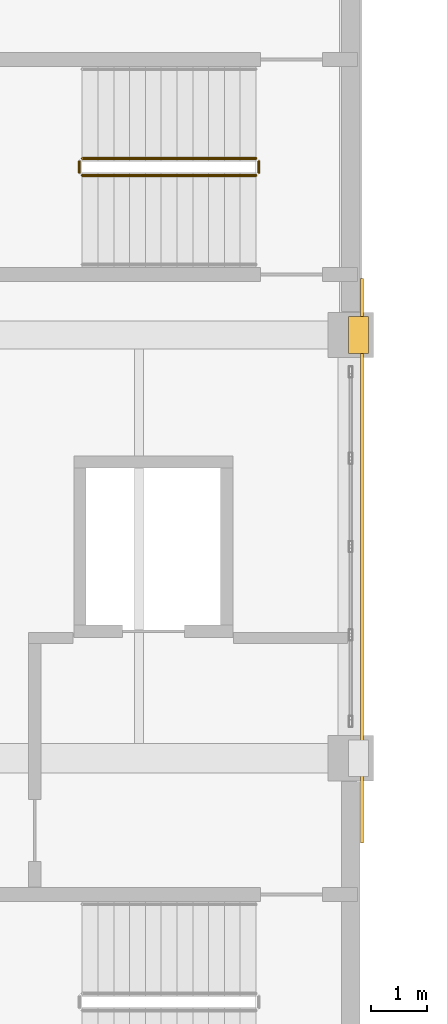
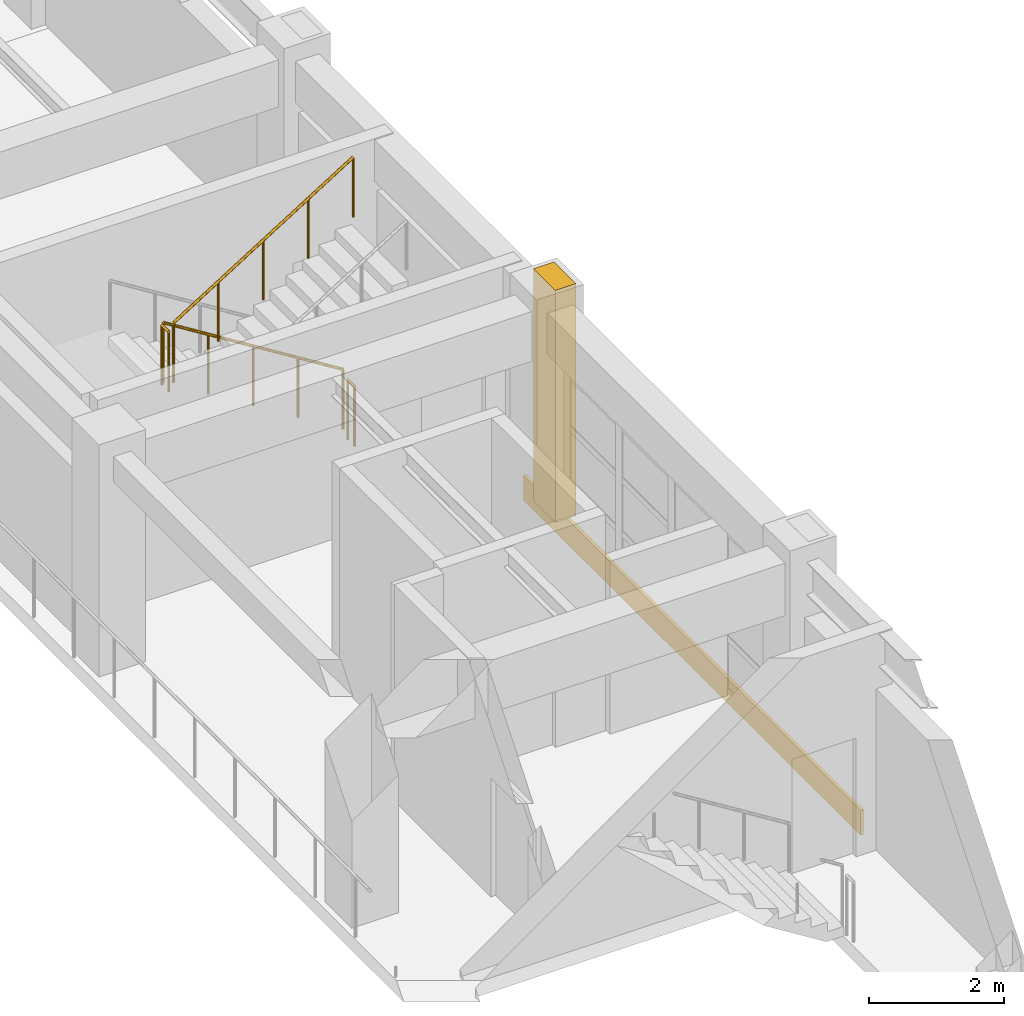
# One storey, part 118 of 124: 4 railings, 2 coverings.
"""IFC4 building model written with IfcOpenShell, lengths in metres."""

from ifc_helpers import new_model, si_unit, direction, frame, origin, origin_2d, place, context, subcontext, project, spatial, rectangle, circle, extrude, material, layer, layer_set, type_object, element, save


model = new_model("IFC4")

# Units and contexts
model_context = context("Model", 3, precision=1e-05, world=origin(), true_north=direction((0.0, 1.0)))
body_context = subcontext(model_context, "Body", "Model", "MODEL_VIEW")
ifc_project = project(units=[si_unit("LENGTHUNIT", "METRE"), si_unit("AREAUNIT", "SQUARE_METRE"), si_unit("VOLUMEUNIT", "CUBIC_METRE"), si_unit("PLANEANGLEUNIT", "RADIAN"), si_unit("MASSUNIT", "GRAM", prefix="KILO")], contexts=[model_context])

# Site, building, storey
site_placement = place(None, origin())
site = spatial("IfcSite", under=ifc_project, at=site_placement, CompositionType="ELEMENT")
building_placement = place(site_placement, origin())
building = spatial("IfcBuilding", under=site, at=building_placement, Name="Qasida Concert Hall", CompositionType="ELEMENT")
storey_placement = place(building_placement, frame((0.0, 0.0, 9.0)))
storey = spatial("IfcBuildingStorey", under=building, at=storey_placement, Name="L02", CompositionType="ELEMENT", Elevation=9.0)

# Coverings
ifc_material_1 = material(Name="Glazed Levantine geometric terracotta spandrel relief", Category="masonry")
ifc_layer_1 = layer(ifc_material_1, 0.050048828125, Name="Glazed Levantine geometric terracotta spandrel relief")
ifc_layer_set_1 = layer_set([ifc_layer_1], Name="Glazed Levantine geometric terracotta spandrel relief")
covering_type_1 = type_object("IfcCoveringType", Name="CV-CL-1", PredefinedType="CLADDING", material=ifc_layer_set_1)
covering_1_placement = place(storey_placement, frame((105.199951171875, 56.0, -0.47509765625), z_axis=(0.0, 0.0, 1.0), x_axis=(1.0, 0.0, 0.0)))
element("IfcCovering", 1, at=covering_1_placement, inside=storey, type_object=covering_type_1, Name="L02 terracotta spandrel frieze E02", PredefinedType="CLADDING", context=body_context, shape_type="SweptSolid", body=[
    extrude(rectangle(XDim=0.050048828125, YDim=10.0, at=origin_2d()), origin(), (0.0, 0.0, 1.0), 0.449951171875),
])
ifc_material_2 = material(Name="Projecting fluted Lebanese limestone Art Deco pilaster", Category="masonry")
ifc_layer_2 = layer(ifc_material_2, 0.35009765625, Name="Projecting fluted Lebanese limestone Art Deco pilaster")
ifc_layer_set_2 = layer_set([ifc_layer_2], Name="Projecting fluted Lebanese limestone Art Deco pilaster")
covering_type_2 = type_object("IfcCoveringType", Name="CV-PIL-650", PredefinedType="CLADDING", material=ifc_layer_set_2)
covering_2_placement = place(storey_placement, frame((105.135009765625, 60.0, 0.0), z_axis=(0.0, 0.0, 1.0), x_axis=(1.0, 0.0, 0.0)))
element("IfcCovering", 2, at=covering_2_placement, inside=storey, type_object=covering_type_2, Name="L02 fluted limestone pilaster 0066", PredefinedType="CLADDING", context=body_context, shape_type="SweptSolid", body=[
    extrude(rectangle(XDim=0.35009765625, YDim=0.64990234375, at=origin_2d()), origin(), (0.0, 0.0, 1.0), 4.199951171875),
])

# Railings
ifc_material_3 = material(Name="Patinated architectural bronze and laminated glass infill", Category="glass")
ifc_layer_3 = layer(ifc_material_3, 0.080078125, Name="Patinated architectural bronze and laminated glass infill")
ifc_layer_set_3 = layer_set([ifc_layer_3], Name="Patinated architectural bronze and laminated glass infill")
railing_type = type_object("IfcRailingType", Name="RL-GRD-1100", PredefinedType="GUARDRAIL", material=ifc_layer_set_3)
railing_1_placement = place(storey_placement, frame((103.320068359375, 63.1298828125, 0.175048828125)))
element("IfcRailing", 3, at=railing_1_placement, inside=storey, type_object=railing_type, Name="L02 ST-12 stair guard 1", PredefinedType="GUARDRAIL", context=body_context, shape_type="SweptSolid", body=[
    extrude(circle(Radius=0.02392578125, at=origin_2d()), frame((0.0, 0.0, 1.076171875), z_axis=(-0.847998304005, 0.0, 0.529998940003), x_axis=(0.0, -1.0, 0.0)), (0.0, 0.0, 1.0), 3.632080078125),
    extrude(circle(Radius=0.02099609375, at=origin_2d()), origin(), (0.0, 0.0, 1.0), 1.052001953125),
    extrude(circle(Radius=0.02099609375, at=origin_2d()), frame((-0.77001953125, 0.0, 0.481201171875)), (0.0, 0.0, 1.0), 1.052001953125),
    extrude(circle(Radius=0.02099609375, at=origin_2d()), frame((-1.5400390625, 0.0, 0.96240234375)), (0.0, 0.0, 1.0), 1.052001953125),
    extrude(circle(Radius=0.02099609375, at=origin_2d()), frame((-2.31005859375, 0.0, 1.44384765625)), (0.0, 0.0, 1.0), 1.052001953125),
    extrude(circle(Radius=0.02099609375, at=origin_2d()), frame((-3.080078125, 0.0, 1.925048828125)), (0.0, 0.0, 1.0), 1.052001953125),
])
railing_2_placement = place(storey_placement, frame((100.18994140625, 63.080078125, 2.10009765625)))
element("IfcRailing", 4, at=railing_2_placement, inside=storey, type_object=railing_type, Name="L02 ST-12 stair guard 2", PredefinedType="GUARDRAIL", context=body_context, shape_type="SweptSolid", body=[
    extrude(circle(Radius=0.02392578125, at=origin_2d()), frame((0.0, 0.0, 1.076171875), z_axis=(0.0, -1.0, 0.0), x_axis=(1.0, 0.0, 0.0)), (0.0, 0.0, 1.0), 0.2001953125),
    extrude(circle(Radius=0.02099609375, at=origin_2d()), origin(), (0.0, 0.0, 1.0), 1.052001953125),
    extrude(circle(Radius=0.02099609375, at=origin_2d()), frame((0.0, -0.2001953125, 0.0)), (0.0, 0.0, 1.0), 1.052001953125),
])
railing_3_placement = place(storey_placement, frame((100.239990234375, 62.830078125, 2.27490234375)))
element("IfcRailing", 5, at=railing_3_placement, inside=storey, type_object=railing_type, Name="L02 ST-12 stair guard 3", PredefinedType="GUARDRAIL", context=body_context, shape_type="SweptSolid", body=[
    extrude(circle(Radius=0.02392578125, at=origin_2d()), frame((0.0, 0.0, 1.076171875), z_axis=(0.847998304005, 0.0, 0.529998940003), x_axis=(0.0, 1.0, 0.0)), (0.0, 0.0, 1.0), 3.632080078125),
    extrude(circle(Radius=0.02099609375, at=origin_2d()), origin(), (0.0, 0.0, 1.0), 1.052001953125),
    extrude(circle(Radius=0.02099609375, at=origin_2d()), frame((0.77001953125, 0.0, 0.481201171875)), (0.0, 0.0, 1.0), 1.052001953125),
    extrude(circle(Radius=0.02099609375, at=origin_2d()), frame((1.5400390625, 0.0, 0.96240234375)), (0.0, 0.0, 1.0), 1.052001953125),
    extrude(circle(Radius=0.02099609375, at=origin_2d()), frame((2.31005859375, 0.0, 1.44384765625)), (0.0, 0.0, 1.0), 1.052001953125),
    extrude(circle(Radius=0.02099609375, at=origin_2d()), frame((3.080078125, 0.0, 1.925048828125)), (0.0, 0.0, 1.0), 1.052001953125),
])
railing_4_placement = place(storey_placement, frame((103.3701171875, 63.080078125, 0.0)))
element("IfcRailing", 6, at=railing_4_placement, inside=storey, type_object=railing_type, Name="L02 ST-12 stair guard 4", PredefinedType="GUARDRAIL", context=body_context, shape_type="SweptSolid", body=[
    extrude(circle(Radius=0.02392578125, at=origin_2d()), frame((0.0, 0.0, 1.076171875), z_axis=(0.0, -1.0, 0.0), x_axis=(1.0, 0.0, 0.0)), (0.0, 0.0, 1.0), 0.2001953125),
    extrude(circle(Radius=0.02099609375, at=origin_2d()), origin(), (0.0, 0.0, 1.0), 1.052001953125),
    extrude(circle(Radius=0.02099609375, at=origin_2d()), frame((0.0, -0.2001953125, 0.0)), (0.0, 0.0, 1.0), 1.052001953125),
])

save(model, "model.ifc")
